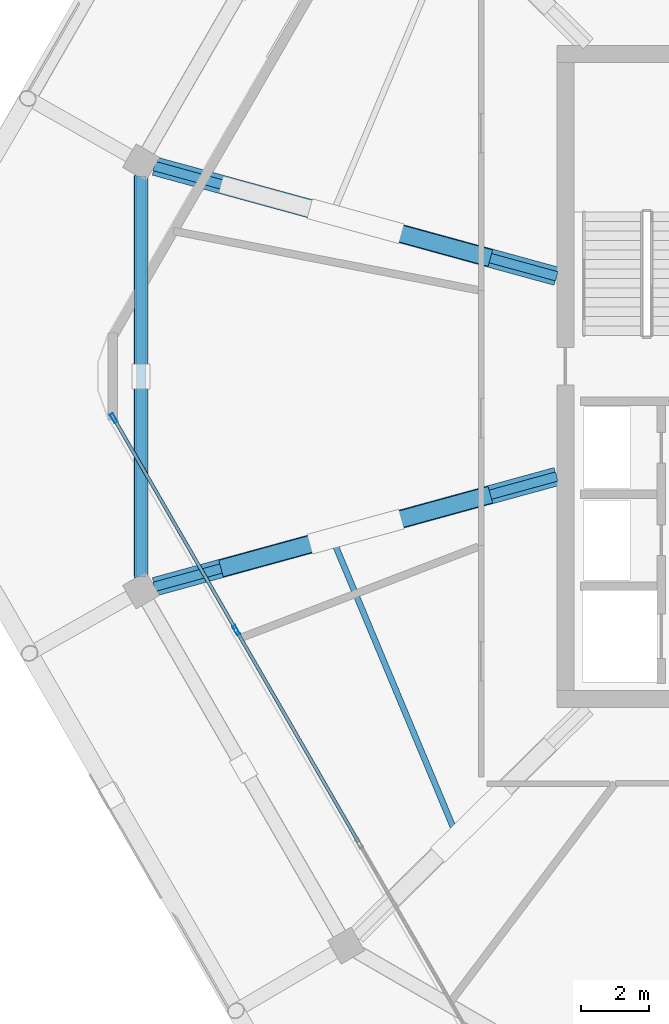
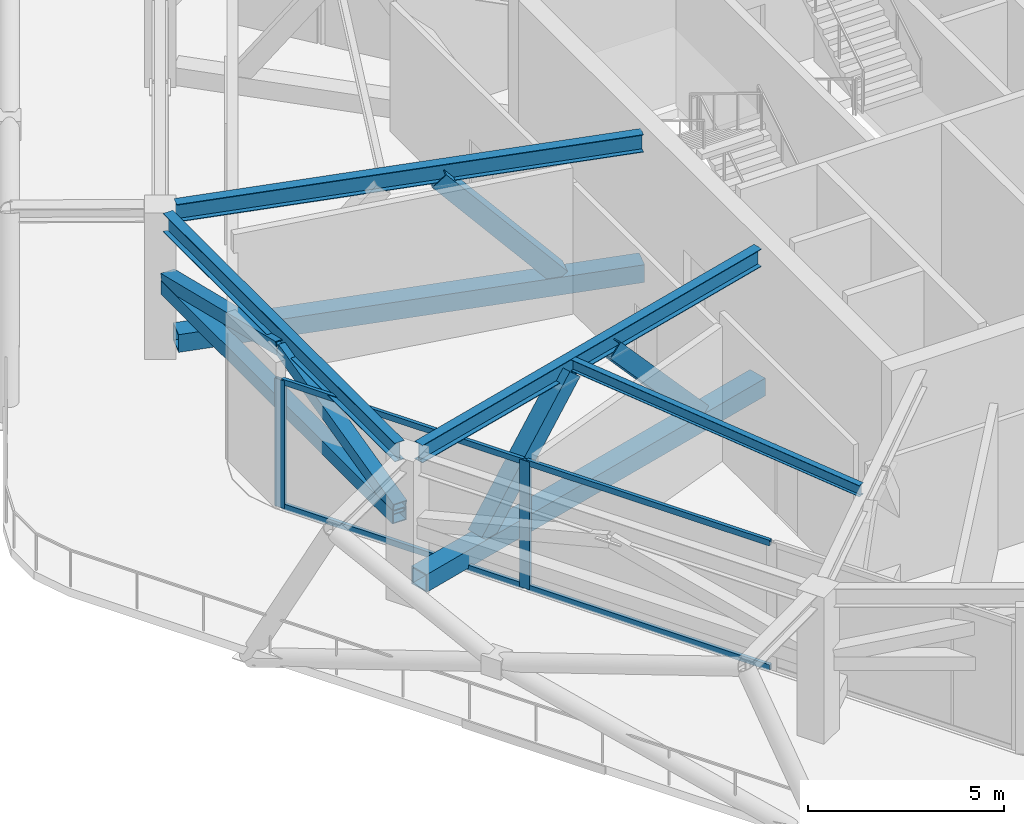
# One storey, part 4 of 19: 14 members, 4 beams, 1 element without a shape of its own.
"""IFC4 building model written with IfcOpenShell, lengths in metres."""

from ifc_helpers import new_model, si_unit, direction, frame, origin, origin_2d, place, context, subcontext, project, spatial, hollow_rectangle, i_section, extrude, material, material_profile, profile_set, type_object, element, aggregate, save


model = new_model("IFC4")

# Units and contexts
model_context = context("Model", 3, precision=1e-05, world=origin(), true_north=direction((0.0, 1.0)))
body_context = subcontext(model_context, "Body", "Model", "MODEL_VIEW")
ifc_project = project(units=[si_unit("LENGTHUNIT", "METRE"), si_unit("AREAUNIT", "SQUARE_METRE"), si_unit("VOLUMEUNIT", "CUBIC_METRE"), si_unit("PLANEANGLEUNIT", "RADIAN"), si_unit("MASSUNIT", "GRAM", prefix="KILO")], contexts=[model_context])

# Site, building, storey
site_placement = place(None, origin())
site = spatial("IfcSite", under=ifc_project, at=site_placement, CompositionType="ELEMENT")
building_placement = place(site_placement, origin())
building = spatial("IfcBuilding", under=site, at=building_placement, Name="Zuhravey Tower", CompositionType="ELEMENT")
storey_placement = place(building_placement, frame((0.0, 0.0, 303.39990234375)))
storey = spatial("IfcBuildingStorey", under=building, at=storey_placement, Name="L77", CompositionType="ELEMENT", Elevation=303.39990234375)

# Members
ifc_material_1 = material(Name="Steel SM355", Category="steel")
ifc_material_profile_1 = material_profile(ifc_material_1, hollow_rectangle(XDim=0.419921875, YDim=0.419921875, WallThickness=0.028076171875, at=origin_2d()), Name="RHS-420x420x28")
ifc_profile_set_1 = profile_set([ifc_material_profile_1], Name="Steel SM355")
member_type_1 = type_object("IfcMemberType", Name="Belt Truss Chord RHS420x420", PredefinedType="CHORD", material=ifc_profile_set_1)
member_1_placement = place(storey_placement, frame((13.006591796875, 37.8974609375, 2.27001953125), z_axis=(0.0, -1.0, 0.0), x_axis=(1.0, 0.0, 0.0)))
element("IfcMember", 1, at=member_1_placement, inside=storey, type_object=member_type_1, Name="L77 Belt Truss Bottom Chord BTC1-05", PredefinedType="CHORD", context=body_context, shape_type="SweptSolid", body=[
    extrude(hollow_rectangle(XDim=0.419921875, YDim=0.419921875, WallThickness=0.028076171875, at=origin_2d()), origin(), (0.0, 0.0, 1.0), 11.794921875),
])
ifc_material_profile_2 = material_profile(ifc_material_1, hollow_rectangle(XDim=0.39990234375, YDim=0.39990234375, WallThickness=0.02490234375, at=origin_2d()), Name="RHS-400x400x25")
ifc_profile_set_2 = profile_set([ifc_material_profile_2], Name="Steel SM355")
member_type_2 = type_object("IfcMemberType", Name="Belt Truss Diagonal RHS400x400", PredefinedType="BRACE", material=ifc_profile_set_2)
for number, where, z_axis, x_axis, name in (
    (2, (13.006591796875, 37.8828125, 2.49365234375), (0.0, -0.971463712551, 0.237188227355), (1.0, 0.0, 0.0), "L77 Belt Truss Diagonal BTD1-05.1"),
    (3, (13.006591796875, 26.1171875, 2.49365234375), (0.0, 0.971463712551, 0.237188227355), (-1.0, 0.0, 0.0), "L77 Belt Truss Diagonal BTD1-05.2"),
):
    element("IfcMember", number, at=place(storey_placement, frame(where, z_axis=z_axis, x_axis=x_axis)), inside=storey, type_object=member_type_2, Name=name, PredefinedType="BRACE", context=body_context, shape_type="SweptSolid", body=[
        extrude(hollow_rectangle(XDim=0.39990234375, YDim=0.39990234375, WallThickness=0.02490234375, at=origin_2d()), origin(), (0.0, 0.0, 1.0), 6.03076171875),
    ])

# Curtain wall, members
ifc_material_2 = material(Name="Thermally broken anodised aluminium", Category="aluminium")
curtain_wall_type = type_object("IfcCurtainWallType", Name="Sky-Garden Tray Clerestory Curtain Wall CW5", PredefinedType="NOTDEFINED", material=ifc_material_2)
curtain_wall_placement = place(storey_placement, origin())
curtain_wall = element("IfcCurtainWall", 4, at=curtain_wall_placement, inside=storey, type_object=curtain_wall_type, Name="L77 CW5 CW-L77-F4-1", PredefinedType="NOTDEFINED")
ifc_material_3 = material(Name="Anodised aluminium", Category="aluminium")
ifc_material_profile_3 = material_profile(ifc_material_3, hollow_rectangle(XDim=0.10009765625, YDim=0.2900390625, WallThickness=0.006103515625, at=origin_2d()), Name="ALU-RHS-100x290x6")
ifc_profile_set_3 = profile_set([ifc_material_profile_3], Name="Anodised aluminium")
member_type_3 = type_object("IfcMemberType", Name="Heavy Tall-Storey Mullion 100x220", PredefinedType="MULLION", material=ifc_profile_set_3)
member_2_placement = place(storey_placement, frame((15.8056640625, 24.529541015625, 0.0), z_axis=(0.0, 0.0, 1.0), x_axis=(-0.866026059495, -0.499998864274, 0.0)))
member_2 = element("IfcMember", 5, at=member_2_placement, type_object=member_type_3, Name="CW5 mullion 3", PredefinedType="MULLION", context=body_context, shape_type="SweptSolid", body=[
    extrude(hollow_rectangle(XDim=0.10009765625, YDim=0.2900390625, WallThickness=0.006103515625, at=origin_2d()), origin(), (0.0, 0.0, 1.0), 3.97021484375),
])
member_3_placement = place(storey_placement, frame((12.203125, 30.769287109375, 0.0), z_axis=(0.0, 0.0, 1.0), x_axis=(-0.866026059495, -0.499998864274, 0.0)))
member_3 = element("IfcMember", 6, at=member_3_placement, type_object=member_type_3, Name="CW5 mullion 4", PredefinedType="MULLION", context=body_context, shape_type="SweptSolid", body=[
    extrude(hollow_rectangle(XDim=0.10009765625, YDim=0.2900390625, WallThickness=0.006103515625, at=origin_2d()), origin(), (0.0, 0.0, 1.0), 3.97021484375),
])

# Members
ifc_material_4 = material(Name="Steel SM460", Category="steel")
ifc_material_profile_4 = material_profile(ifc_material_4, hollow_rectangle(XDim=0.550048828125, YDim=0.550048828125, WallThickness=0.034912109375, at=origin_2d()), Name="RHS-550x550x35")
ifc_profile_set_4 = profile_set([ifc_material_profile_4], Name="Steel SM460")
member_type_4 = type_object("IfcMemberType", Name="Outrigger Truss Chord RHS550x550", PredefinedType="CHORD", material=ifc_profile_set_4)
for number, where, z_axis, x_axis, name in (
    (7, (25.2421875, 34.94873046875, 0.320068359375), (-0.964426879303, 0.264349757855, 0.0), (-0.264349757855, -0.964426879303, 0.0), "L77 Outrigger Bottom Chord OTC1-04"),
    (8, (25.2421875, 29.05126953125, 0.320068359375), (-0.964426879303, -0.264349757855, 0.0), (0.264349757855, -0.964426879303, 0.0), "L77 Outrigger Bottom Chord OTC1-05"),
):
    element("IfcMember", number, at=place(storey_placement, frame(where, z_axis=z_axis, x_axis=x_axis)), inside=storey, type_object=member_type_4, Name=name, PredefinedType="CHORD", context=body_context, shape_type="SweptSolid", body=[
        extrude(hollow_rectangle(XDim=0.550048828125, YDim=0.550048828125, WallThickness=0.034912109375, at=origin_2d()), origin(), (0.0, 0.0, 1.0), 12.2685546875),
    ])
ifc_material_profile_5 = material_profile(ifc_material_4, hollow_rectangle(XDim=0.5, YDim=0.5, WallThickness=0.031982421875, at=origin_2d()), Name="RHS-500x500x32")
ifc_profile_set_5 = profile_set([ifc_material_profile_5], Name="Steel SM460")
member_type_5 = type_object("IfcMemberType", Name="Outrigger Truss Diagonal RHS500x500", PredefinedType="BRACE", material=ifc_profile_set_5)
for number, where, z_axis, x_axis, name in (
    (9, (23.1123046875, 35.532470703125, 0.56005859375), (-0.642554264858, 0.176141462763, 0.745719921826), (-0.264373637473, -0.964420333573, 0.0), "L77 Outrigger Diagonal OTD1-04.1"),
    (10, (23.1123046875, 28.467529296875, 0.56005859375), (-0.642554264858, -0.176141462763, 0.745719921826), (0.264373637473, -0.964420333573, 0.0), "L77 Outrigger Diagonal OTD1-05.1"),
    (11, (15.5400390625, 26.39208984375, 0.56005859375), (0.642560035892, 0.176092047931, 0.745726619432), (-0.264302443749, 0.964439846869, 0.0), "L77 Outrigger Diagonal OTD1-05.2"),
):
    element("IfcMember", number, at=place(storey_placement, frame(where, z_axis=z_axis, x_axis=x_axis)), inside=storey, type_object=member_type_5, Name=name, PredefinedType="BRACE", context=body_context, shape_type="SweptSolid", body=[
        extrude(hollow_rectangle(XDim=0.5, YDim=0.5, WallThickness=0.031982421875, at=origin_2d()), origin(), (0.0, 0.0, 1.0), 4.787353515625),
    ])

# Beams
ifc_material_profile_6 = material_profile(ifc_material_1, i_section(OverallWidth=0.280029296875, OverallDepth=0.580078125, WebThickness=0.011962890625, FlangeThickness=0.01904296875, at=origin_2d()), Name="H-580x280x12x19")
ifc_profile_set_6 = profile_set([ifc_material_profile_6], Name="Steel SM355")
beam_type_1 = type_object("IfcBeamType", Name="Perimeter Ring Beam H580x280", PredefinedType="BEAM", material=ifc_profile_set_6)
beam_1_placement = place(storey_placement, frame((13.006591796875, 37.8994140625, 4.260009765625), z_axis=(0.0, -1.0, 0.0), x_axis=(1.0, 0.0, 0.0)))
element("IfcBeam", 12, at=beam_1_placement, inside=storey, type_object=beam_type_1, Name="L77 PB4 BM-L77-PB-06", PredefinedType="BEAM", context=body_context, shape_type="SweptSolid", body=[
    extrude(i_section(OverallWidth=0.280029296875, OverallDepth=0.580078125, WebThickness=0.011962890625, FlangeThickness=0.01904296875, at=origin_2d()), origin(), (0.0, 0.0, 1.0), 11.798828125),
])
ifc_material_profile_7 = material_profile(ifc_material_1, i_section(OverallWidth=0.280029296875, OverallDepth=0.550048828125, WebThickness=0.010986328125, FlangeThickness=0.01806640625, at=origin_2d()), Name="H-550x280x11x18")
ifc_profile_set_7 = profile_set([ifc_material_profile_7], Name="Steel SM355")
beam_type_2 = type_object("IfcBeamType", Name="Radial Primary Girder H550x280", PredefinedType="BEAM", material=ifc_profile_set_7)
for number, where, z_axis, x_axis, name in (
    (13, (25.2470703125, 34.947265625, 4.275146484375), (-0.964427903067, 0.264346022829, 0.0), (-0.264346022829, -0.964427903067, 0.0), "L77 RG4 BM-L77-RAD-06"),
    (14, (25.2470703125, 29.052734375, 4.275146484375), (-0.964427903067, -0.264346022829, 0.0), (0.264346022829, -0.964427903067, 0.0), "L77 RG4 BM-L77-RAD-07"),
):
    element("IfcBeam", number, at=place(storey_placement, frame(where, z_axis=z_axis, x_axis=x_axis)), inside=storey, type_object=beam_type_2, Name=name, PredefinedType="BEAM", context=body_context, shape_type="SweptSolid", body=[
        extrude(i_section(OverallWidth=0.280029296875, OverallDepth=0.550048828125, WebThickness=0.010986328125, FlangeThickness=0.01806640625, at=origin_2d()), origin(), (0.0, 0.0, 1.0), 12.2890625),
    ])
ifc_material_profile_8 = material_profile(ifc_material_1, i_section(OverallWidth=0.175048828125, OverallDepth=0.35009765625, WebThickness=0.007080078125, FlangeThickness=0.010986328125, at=origin_2d()), Name="H-350x175x7x11")
ifc_profile_set_8 = profile_set([ifc_material_profile_8], Name="Steel SM355")
beam_type_3 = type_object("IfcBeamType", Name="Secondary Floor Joist H350x175", PredefinedType="JOIST", material=ifc_profile_set_8)
beam_2_placement = place(storey_placement, frame((18.692626953125, 27.108154296875, 4.375), z_axis=(0.385657891576, -0.922641853953, 0.0), x_axis=(0.922641853953, 0.385657891576, 0.0)))
element("IfcBeam", 15, at=beam_2_placement, inside=storey, type_object=beam_type_3, Name="L77 SJ3 BM-L77-SJ-07-1", PredefinedType="JOIST", context=body_context, shape_type="SweptSolid", body=[
    extrude(i_section(OverallWidth=0.175048828125, OverallDepth=0.35009765625, WebThickness=0.007080078125, FlangeThickness=0.010986328125, at=origin_2d()), origin(), (0.0, 0.0, 1.0), 9.226806640625),
])

# Member
ifc_material_profile_9 = material_profile(ifc_material_3, hollow_rectangle(XDim=0.10009765625, YDim=0.179931640625, WallThickness=0.006103515625, at=origin_2d()), Name="ALU-RHS-100x180x6")
ifc_profile_set_9 = profile_set([ifc_material_profile_9], Name="Anodised aluminium")
member_type_6 = type_object("IfcMemberType", Name="Tall-Storey Transom 100x180", PredefinedType="USERDEFINED", material=ifc_profile_set_9)
member_4_placement = place(storey_placement, frame((19.408203125, 18.289794921875, 0.050048828125), z_axis=(-0.499996165519, 0.866027617612, 0.0), x_axis=(-0.866027617612, -0.499996165519, 0.0)))
member_4 = element("IfcMember", 16, at=member_4_placement, type_object=member_type_6, Name="CW5 transom 2.1", ObjectType="TRANSOM", PredefinedType="USERDEFINED", context=body_context, shape_type="SweptSolid", body=[
    extrude(hollow_rectangle(XDim=0.10009765625, YDim=0.179931640625, WallThickness=0.006103515625, at=origin_2d()), origin(), (0.0, 0.0, 1.0), 7.15478515625),
])

member_5_placement = place(storey_placement, frame((19.408203125, 18.289794921875, 3.920166015625), z_axis=(-0.499996165519, 0.866027617612, 0.0), x_axis=(-0.866027617612, -0.499996165519, 0.0)))
member_5 = element("IfcMember", 17, at=member_5_placement, type_object=member_type_6, Name="CW5 transom 2.2", ObjectType="TRANSOM", PredefinedType="USERDEFINED", context=body_context, shape_type="SweptSolid", body=[
    extrude(hollow_rectangle(XDim=0.10009765625, YDim=0.179931640625, WallThickness=0.006103515625, at=origin_2d()), origin(), (0.0, 0.0, 1.0), 7.15478515625),
])

member_6_placement = place(storey_placement, frame((15.78076171875, 24.57275390625, 0.050048828125), z_axis=(-0.500001060898, 0.866024791274, 0.0), x_axis=(-0.866024791274, -0.500001060898, 0.0)))
member_6 = element("IfcMember", 18, at=member_6_placement, type_object=member_type_6, Name="CW5 transom 3.1", ObjectType="TRANSOM", PredefinedType="USERDEFINED", context=body_context, shape_type="SweptSolid", body=[
    extrude(hollow_rectangle(XDim=0.10009765625, YDim=0.179931640625, WallThickness=0.006103515625, at=origin_2d()), origin(), (0.0, 0.0, 1.0), 7.10498046875),
])

member_7_placement = place(storey_placement, frame((15.78076171875, 24.57275390625, 3.920166015625), z_axis=(-0.500001060898, 0.866024791274, 0.0), x_axis=(-0.866024791274, -0.500001060898, 0.0)))
member_7 = element("IfcMember", 19, at=member_7_placement, type_object=member_type_6, Name="CW5 transom 3.2", ObjectType="TRANSOM", PredefinedType="USERDEFINED", context=body_context, shape_type="SweptSolid", body=[
    extrude(hollow_rectangle(XDim=0.10009765625, YDim=0.179931640625, WallThickness=0.006103515625, at=origin_2d()), origin(), (0.0, 0.0, 1.0), 7.10498046875),
])

aggregate(curtain_wall, [member_2, member_3, member_4, member_5, member_6, member_7])

save(model, "model.ifc")
